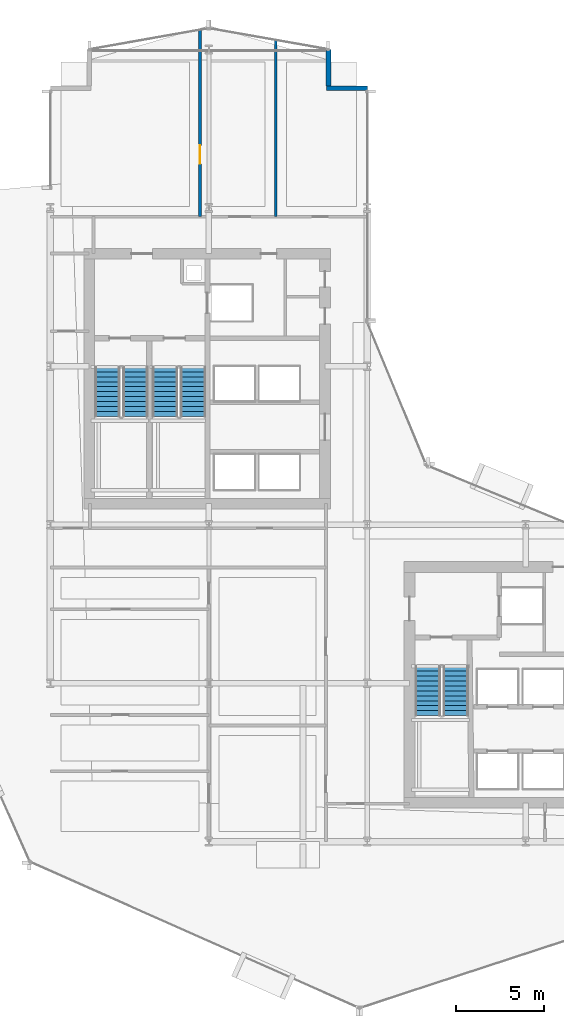
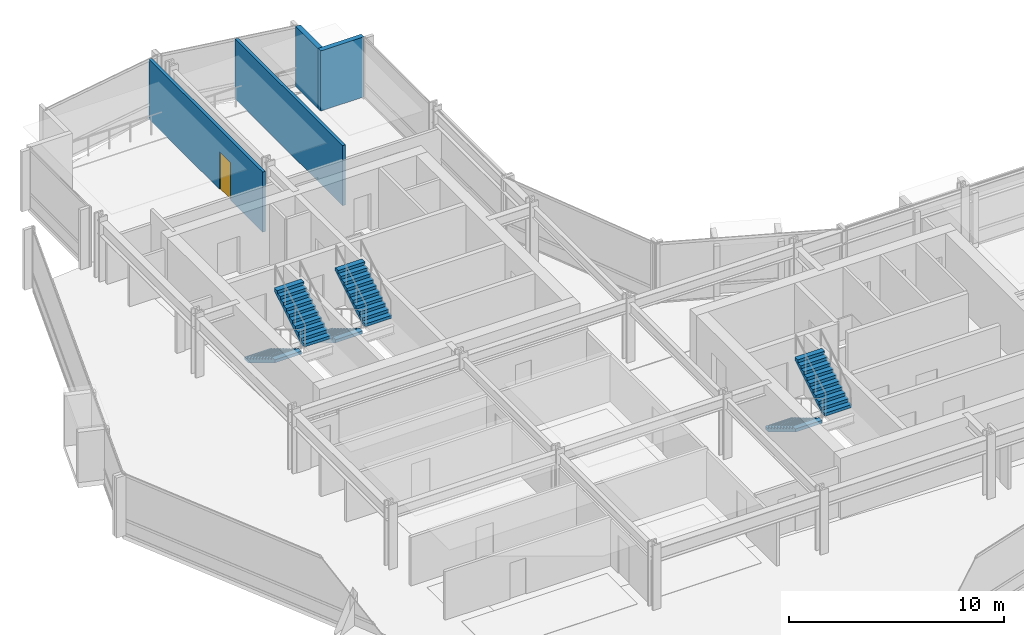
# One storey, part 29 of 34: 6 stair flights, 4 walls, 1 door, 1 opening, 3 elements without a shape of their own.
"""IFC4 building model written with IfcOpenShell, lengths in metres."""

from ifc_helpers import new_model, si_unit, direction, frame, frame_2d, origin, place, context, subcontext, project, spatial, polyline, rectangle, outline, extrude, material, layer, layer_set, type_object, element, fill, aggregate, save


model = new_model("IFC4")

# Units and contexts
model_context = context("Model", 3, precision=1e-05, world=origin(), true_north=direction((0.0, 1.0)))
body_context = subcontext(model_context, "Body", "Model", "MODEL_VIEW")
ifc_project = project(units=[si_unit("LENGTHUNIT", "METRE"), si_unit("AREAUNIT", "SQUARE_METRE"), si_unit("VOLUMEUNIT", "CUBIC_METRE"), si_unit("PLANEANGLEUNIT", "RADIAN"), si_unit("MASSUNIT", "GRAM", prefix="KILO")], contexts=[model_context])

# Site, building, storey
site_placement = place(None, origin())
site = spatial("IfcSite", under=ifc_project, at=site_placement, CompositionType="ELEMENT")
building_placement = place(site_placement, origin())
building = spatial("IfcBuilding", under=site, at=building_placement, Name="Solvaryn Broadcast Tower", CompositionType="ELEMENT")
storey_placement = place(building_placement, frame((0.0, 0.0, 65.60009765625)))
storey = spatial("IfcBuildingStorey", under=building, at=storey_placement, Name="L15", CompositionType="ELEMENT", Elevation=65.60009765625)

# Walls
ifc_material_1 = material(Name="Concrete f'c 50 MPa", Category="concrete")
ifc_layer_1 = layer(ifc_material_1, 0.260009765625)
ifc_layer_set_1 = layer_set([ifc_layer_1], Name="EW-PIER-260")
wall_type_1 = type_object("IfcWallType", Name="EW-PIER-260", PredefinedType="SOLIDWALL", material=ifc_layer_set_1)
wall_1_placement = place(storey_placement, frame((24.800048828125, 54.0, 0.0), z_axis=(0.0, 0.0, 1.0), x_axis=(0.0, -1.0, 0.0)))
element("IfcWall", 1, at=wall_1_placement, inside=storey, type_object=wall_type_1, Name="L15 Notched Corner Pier Wall NNE1", PredefinedType="SOLIDWALL", context=body_context, shape_type="SweptSolid", body=[
    extrude(rectangle(XDim=2.080078125, YDim=0.260009765625, at=frame_2d((1.0400390625, 0.0))), origin(), (0.0, 0.0, 1.0), 3.419921875),
])
wall_2_placement = place(storey_placement, frame((24.679931640625, 51.800048828125, 0.0), z_axis=(0.0, 0.0, 1.0), x_axis=(1.0, 0.0, 0.0)))
element("IfcWall", 2, at=wall_2_placement, inside=storey, type_object=wall_type_1, Name="L15 Notched Corner Pier Wall NNE2", PredefinedType="SOLIDWALL", context=body_context, shape_type="SweptSolid", body=[
    extrude(rectangle(XDim=2.320068359375, YDim=0.260009765625, at=frame_2d((1.16015625, 0.0))), origin(), (0.0, 0.0, 1.0), 3.419921875),
])

# Wall, opening, door
ifc_material_2 = material(Name="Metal-Stud Gypsum Office Partition")
ifc_layer_2 = layer(ifc_material_2, 0.159912109375)
ifc_layer_set_2 = layer_set([ifc_layer_2], Name="IW-PART-160")
wall_type_2 = type_object("IfcWallType", Name="IW-PART-160", PredefinedType="PARTITIONING", material=ifc_layer_set_2)
wall_3_placement = place(storey_placement, frame((17.5, 44.5, 0.0), z_axis=(0.0, 0.0, 1.0), x_axis=(0.0, 1.0, 0.0)))
wall_3 = element("IfcWall", 3, at=wall_3_placement, inside=storey, type_object=wall_type_2, Name="L15 Interior Partition IW-L15-NW-V1", PredefinedType="PARTITIONING", context=body_context, shape_type="SweptSolid", body=[
    extrude(rectangle(XDim=10.612060546875, YDim=0.159912109375, at=frame_2d((5.30615234375, 0.0))), origin(), (0.0, 0.0, 1.0), 3.419921875),
])
opening_placement = place(wall_3_placement, frame((3.0, 0.0, 0.0)))
opening = element("IfcOpeningElement", 4, at=opening_placement, cuts=wall_3, Name="Opening ID03", PredefinedType="OPENING", context=body_context, shape_type="SweptSolid", body=[
    extrude(rectangle(XDim=1.050048828125, YDim=2.14990234375, at=frame_2d((0.52490234375, 1.074951171875))), frame((0.0, 0.090087890625, 0.0), z_axis=(0.0, -1.0, 0.0), x_axis=(1.0, 0.0, 0.0)), (0.0, 0.0, 1.0), 0.179931640625),
])
ifc_material_3 = material(Name="Flush Acoustic Steel and Timber Door Assembly", Category="steel")
door_type = type_object("IfcDoorType", Name="ID-03-1050X2150", OperationType="NOTDEFINED", PredefinedType="DOOR", material=ifc_material_3)
door_placement = place(opening_placement, origin())
door = element("IfcDoor", 5, at=door_placement, inside=storey, type_object=door_type, Name="L15 Door DR-L15-NW-C1", OperationType="SINGLE_SWING_LEFT", OverallHeight=2.14990234375, OverallWidth=1.050048828125, PredefinedType="DOOR", context=body_context, shape_type="SweptSolid", body=[
    extrude(rectangle(XDim=1.050048828125, YDim=2.14990234375, at=frame_2d((0.52490234375, 1.074951171875))), frame((0.0, 0.02490234375, 0.0), z_axis=(0.0, -1.0, 0.0), x_axis=(1.0, 0.0, 0.0)), (0.0, 0.0, 1.0), 0.050048828125),
])
fill(opening, door)

# Wall
wall_4_placement = place(storey_placement, frame((21.800048828125, 44.5, 0.0), z_axis=(0.0, 0.0, 1.0), x_axis=(0.0, 1.0, 0.0)))
element("IfcWall", 6, at=wall_4_placement, inside=storey, type_object=wall_type_2, Name="L15 Interior Partition IW-L15-NW-V2", PredefinedType="PARTITIONING", context=body_context, shape_type="SweptSolid", body=[
    extrude(rectangle(XDim=10.029052734375, YDim=0.159912109375, at=frame_2d((5.0146484375, 0.0))), origin(), (0.0, 0.0, 1.0), 3.419921875),
])

# Stair, stair flights
ifc_material_4 = material(Name="Concrete f'c 60 MPa", Category="concrete")
stair_type = type_object("IfcStairType", Name="ST-CORE", PredefinedType="HALF_TURN_STAIR", material=ifc_material_4)
stair_1_placement = place(storey_placement, origin())
stair_1 = element("IfcStair", 7, at=stair_1_placement, inside=storey, type_object=stair_type, Name="L15 ST1", PredefinedType="HALF_TURN_STAIR")
ifc_material_5 = material(Name="Concrete f'c 60 MPa", Category="concrete")
ifc_layer_3 = layer(ifc_material_5, 0.159912109375)
ifc_layer_set_3 = layer_set([ifc_layer_3], Name="SF-CORE")
stair_flight_type = type_object("IfcStairFlightType", Name="SF-CORE", PredefinedType="STRAIGHT", material=ifc_layer_set_3)
stair_flight_1_placement = place(storey_placement, frame((12.239990234375, 35.9599609375, 0.0), z_axis=(0.0, 0.0, 1.0), x_axis=(0.0, -1.0, 0.0)))
stair_flight_1 = element("IfcStairFlight", 8, at=stair_flight_1_placement, type_object=stair_flight_type, Name="ST1 flight 1", NumberOfRisers=11, NumberOfTreads=10, PredefinedType="STRAIGHT", RiserHeight=0.168181818, TreadLength=0.28, context=body_context, shape_type="SweptSolid", body=[
    extrude(outline(polyline([(0.0, 0.0), (0.0, 0.168212890625), (0.280029296875, 0.168212890625), (0.280029296875, 0.33642578125), (0.56005859375, 0.33642578125), (0.56005859375, 0.504638671875), (0.840087890625, 0.504638671875), (0.840087890625, 0.672607421875), (1.1201171875, 0.672607421875), (1.1201171875, 0.8408203125), (1.39990234375, 0.8408203125), (1.39990234375, 1.009033203125), (1.679931640625, 1.009033203125), (1.679931640625, 1.17724609375), (1.9599609375, 1.17724609375), (1.9599609375, 1.345458984375), (2.239990234375, 1.345458984375), (2.239990234375, 1.513671875), (2.52001953125, 1.513671875), (2.52001953125, 1.681884765625), (2.800048828125, 1.681884765625), (2.800048828125, 1.85009765625), (2.800048828125, 1.5068359375), (0.291015625, 0.0), (0.0, 0.0)])), frame((0.0, 0.719970703125, 0.0), z_axis=(0.0, -1.0, 0.0), x_axis=(1.0, 0.0, 0.0)), (0.0, 0.0, 1.0), 1.43994140625),
])
stair_flight_2_placement = place(storey_placement, frame((13.830078125, 33.159912109375, 1.849853515625), z_axis=(0.0, 0.0, 1.0), x_axis=(0.0, 1.0, 0.0)))
stair_flight_2 = element("IfcStairFlight", 9, at=stair_flight_2_placement, type_object=stair_flight_type, Name="ST1 flight 2", NumberOfRisers=11, NumberOfTreads=10, PredefinedType="STRAIGHT", RiserHeight=0.168181818, TreadLength=0.28, context=body_context, shape_type="SweptSolid", body=[
    extrude(outline(polyline([(0.0, 0.0), (0.0, 0.168212890625), (0.280029296875, 0.168212890625), (0.280029296875, 0.33642578125), (0.56005859375, 0.33642578125), (0.56005859375, 0.504638671875), (0.840087890625, 0.504638671875), (0.840087890625, 0.672607421875), (1.1201171875, 0.672607421875), (1.1201171875, 0.8408203125), (1.39990234375, 0.8408203125), (1.39990234375, 1.009033203125), (1.679931640625, 1.009033203125), (1.679931640625, 1.17724609375), (1.9599609375, 1.17724609375), (1.9599609375, 1.345458984375), (2.239990234375, 1.345458984375), (2.239990234375, 1.513671875), (2.52001953125, 1.513671875), (2.52001953125, 1.681884765625), (2.800048828125, 1.681884765625), (2.800048828125, 1.85009765625), (2.800048828125, 1.5068359375), (0.291015625, 0.0), (0.0, 0.0)])), frame((0.0, 0.719970703125, 0.0), z_axis=(0.0, -1.0, 0.0), x_axis=(1.0, 0.0, 0.0)), (0.0, 0.0, 1.0), 1.43994140625),
])
aggregate(stair_1, [stair_flight_1, stair_flight_2])

stair_2_placement = place(storey_placement, origin())
stair_2 = element("IfcStair", 10, at=stair_2_placement, inside=storey, type_object=stair_type, Name="L15 ST2", PredefinedType="HALF_TURN_STAIR")
stair_flight_3_placement = place(storey_placement, frame((15.52001953125, 35.9599609375, 0.0), z_axis=(0.0, 0.0, 1.0), x_axis=(0.0, -1.0, 0.0)))
stair_flight_3 = element("IfcStairFlight", 11, at=stair_flight_3_placement, type_object=stair_flight_type, Name="ST2 flight 1", NumberOfRisers=11, NumberOfTreads=10, PredefinedType="STRAIGHT", RiserHeight=0.168181818, TreadLength=0.28, context=body_context, shape_type="SweptSolid", body=[
    extrude(outline(polyline([(0.0, 0.0), (0.0, 0.168212890625), (0.280029296875, 0.168212890625), (0.280029296875, 0.33642578125), (0.56005859375, 0.33642578125), (0.56005859375, 0.504638671875), (0.840087890625, 0.504638671875), (0.840087890625, 0.672607421875), (1.1201171875, 0.672607421875), (1.1201171875, 0.8408203125), (1.39990234375, 0.8408203125), (1.39990234375, 1.009033203125), (1.679931640625, 1.009033203125), (1.679931640625, 1.17724609375), (1.9599609375, 1.17724609375), (1.9599609375, 1.345458984375), (2.239990234375, 1.345458984375), (2.239990234375, 1.513671875), (2.52001953125, 1.513671875), (2.52001953125, 1.681884765625), (2.800048828125, 1.681884765625), (2.800048828125, 1.85009765625), (2.800048828125, 1.5068359375), (0.291015625, 0.0), (0.0, 0.0)])), frame((0.0, 0.719970703125, 0.0), z_axis=(0.0, -1.0, 0.0), x_axis=(1.0, 0.0, 0.0)), (0.0, 0.0, 1.0), 1.43994140625),
])
stair_flight_4_placement = place(storey_placement, frame((17.110107421875, 33.159912109375, 1.849853515625), z_axis=(0.0, 0.0, 1.0), x_axis=(0.0, 1.0, 0.0)))
stair_flight_4 = element("IfcStairFlight", 12, at=stair_flight_4_placement, type_object=stair_flight_type, Name="ST2 flight 2", NumberOfRisers=11, NumberOfTreads=10, PredefinedType="STRAIGHT", RiserHeight=0.168181818, TreadLength=0.28, context=body_context, shape_type="SweptSolid", body=[
    extrude(outline(polyline([(0.0, 0.0), (0.0, 0.168212890625), (0.280029296875, 0.168212890625), (0.280029296875, 0.33642578125), (0.56005859375, 0.33642578125), (0.56005859375, 0.504638671875), (0.840087890625, 0.504638671875), (0.840087890625, 0.672607421875), (1.1201171875, 0.672607421875), (1.1201171875, 0.8408203125), (1.39990234375, 0.8408203125), (1.39990234375, 1.009033203125), (1.679931640625, 1.009033203125), (1.679931640625, 1.17724609375), (1.9599609375, 1.17724609375), (1.9599609375, 1.345458984375), (2.239990234375, 1.345458984375), (2.239990234375, 1.513671875), (2.52001953125, 1.513671875), (2.52001953125, 1.681884765625), (2.800048828125, 1.681884765625), (2.800048828125, 1.85009765625), (2.800048828125, 1.5068359375), (0.291015625, 0.0), (0.0, 0.0)])), frame((0.0, 0.719970703125, 0.0), z_axis=(0.0, -1.0, 0.0), x_axis=(1.0, 0.0, 0.0)), (0.0, 0.0, 1.0), 1.43994140625),
])
aggregate(stair_2, [stair_flight_3, stair_flight_4])

stair_3_placement = place(storey_placement, origin())
stair_3 = element("IfcStair", 13, at=stair_3_placement, inside=storey, type_object=stair_type, Name="L15 ST3", PredefinedType="HALF_TURN_STAIR")
stair_flight_5_placement = place(storey_placement, frame((30.43994140625, 18.9599609375, 0.0), z_axis=(0.0, 0.0, 1.0), x_axis=(0.0, -1.0, 0.0)))
stair_flight_5 = element("IfcStairFlight", 14, at=stair_flight_5_placement, type_object=stair_flight_type, Name="ST3 flight 1", NumberOfRisers=11, NumberOfTreads=10, PredefinedType="STRAIGHT", RiserHeight=0.168181818, TreadLength=0.28, context=body_context, shape_type="SweptSolid", body=[
    extrude(outline(polyline([(0.0, 0.0), (0.0, 0.168212890625), (0.280029296875, 0.168212890625), (0.280029296875, 0.33642578125), (0.56005859375, 0.33642578125), (0.56005859375, 0.504638671875), (0.840087890625, 0.504638671875), (0.840087890625, 0.672607421875), (1.1201171875, 0.672607421875), (1.1201171875, 0.8408203125), (1.39990234375, 0.8408203125), (1.39990234375, 1.009033203125), (1.679931640625, 1.009033203125), (1.679931640625, 1.17724609375), (1.9599609375, 1.17724609375), (1.9599609375, 1.345458984375), (2.239990234375, 1.345458984375), (2.239990234375, 1.513671875), (2.52001953125, 1.513671875), (2.52001953125, 1.681884765625), (2.800048828125, 1.681884765625), (2.800048828125, 1.85009765625), (2.800048828125, 1.5068359375), (0.291015625, 0.0), (0.0, 0.0)])), frame((0.0, 0.719970703125, 0.0), z_axis=(0.0, -1.0, 0.0), x_axis=(1.0, 0.0, 0.0)), (0.0, 0.0, 1.0), 1.43994140625),
])
stair_flight_6_placement = place(storey_placement, frame((32.030029296875, 16.159912109375, 1.849853515625), z_axis=(0.0, 0.0, 1.0), x_axis=(0.0, 1.0, 0.0)))
stair_flight_6 = element("IfcStairFlight", 15, at=stair_flight_6_placement, type_object=stair_flight_type, Name="ST3 flight 2", NumberOfRisers=11, NumberOfTreads=10, PredefinedType="STRAIGHT", RiserHeight=0.168181818, TreadLength=0.28, context=body_context, shape_type="SweptSolid", body=[
    extrude(outline(polyline([(0.0, 0.0), (0.0, 0.168212890625), (0.280029296875, 0.168212890625), (0.280029296875, 0.33642578125), (0.56005859375, 0.33642578125), (0.56005859375, 0.504638671875), (0.840087890625, 0.504638671875), (0.840087890625, 0.672607421875), (1.1201171875, 0.672607421875), (1.1201171875, 0.8408203125), (1.39990234375, 0.8408203125), (1.39990234375, 1.009033203125), (1.679931640625, 1.009033203125), (1.679931640625, 1.17724609375), (1.9599609375, 1.17724609375), (1.9599609375, 1.345458984375), (2.239990234375, 1.345458984375), (2.239990234375, 1.513671875), (2.52001953125, 1.513671875), (2.52001953125, 1.681884765625), (2.800048828125, 1.681884765625), (2.800048828125, 1.85009765625), (2.800048828125, 1.5068359375), (0.291015625, 0.0), (0.0, 0.0)])), frame((0.0, 0.719970703125, 0.0), z_axis=(0.0, -1.0, 0.0), x_axis=(1.0, 0.0, 0.0)), (0.0, 0.0, 1.0), 1.43994140625),
])
aggregate(stair_3, [stair_flight_5, stair_flight_6])

save(model, "model.ifc")
